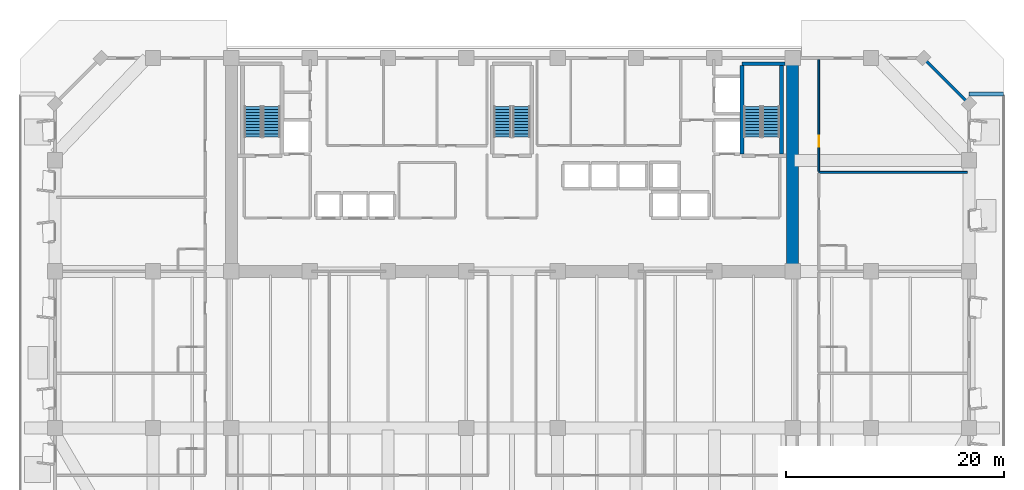
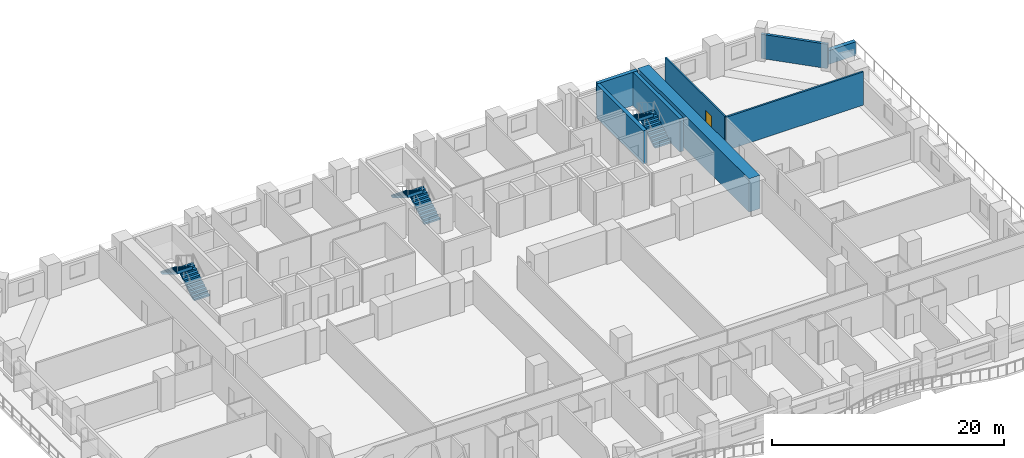
# One storey, part 13 of 17: 8 walls, 6 stair flights, 1 door, 1 opening, 3 elements without a shape of their own.
"""IFC4 building model written with IfcOpenShell, lengths in metres."""

from ifc_helpers import new_model, si_unit, direction, frame, frame_2d, origin, place, context, subcontext, project, spatial, polyline, rectangle, outline, extrude, material, layer, layer_set, type_object, element, fill, aggregate, save


model = new_model("IFC4")

# Units and contexts
model_context = context("Model", 3, precision=1e-05, world=origin(), true_north=direction((0.0, 1.0)))
body_context = subcontext(model_context, "Body", "Model", "MODEL_VIEW")
ifc_project = project(units=[si_unit("LENGTHUNIT", "METRE"), si_unit("AREAUNIT", "SQUARE_METRE"), si_unit("VOLUMEUNIT", "CUBIC_METRE"), si_unit("PLANEANGLEUNIT", "RADIAN"), si_unit("MASSUNIT", "GRAM", prefix="KILO")], contexts=[model_context])

# Site, building, storey
site_placement = place(None, origin())
site = spatial("IfcSite", under=ifc_project, at=site_placement, CompositionType="ELEMENT")
building_placement = place(site_placement, origin())
building = spatial("IfcBuilding", under=site, at=building_placement, Name="Kaelvorn Grand Hotel", CompositionType="ELEMENT")
storey_placement = place(building_placement, frame((0.0, 0.0, 31.39990234375)))
storey = spatial("IfcBuildingStorey", under=building, at=storey_placement, Name="L05", CompositionType="ELEMENT", Elevation=31.39990234375)

# Walls
ifc_material_1 = material(Name="Concrete C80/95", Category="concrete")
ifc_layer_1 = layer(ifc_material_1, 1.10009765625)
ifc_layer_set_1 = layer_set([ifc_layer_1], Name="Concrete C80/95")
wall_type_1 = type_object("IfcWallType", Name="WL-CORE-1100-C80", PredefinedType="SHEAR", material=ifc_layer_set_1)
wall_1_placement = place(storey_placement, frame((67.800048828125, 29.39990234375, 0.0), z_axis=(0.0, 0.0, 1.0), x_axis=(0.0, 1.0, 0.0)))
element("IfcWall", 1, at=wall_1_placement, inside=storey, type_object=wall_type_1, Name="L05 Rear-Core East Shear Wall", PredefinedType="SHEAR", context=body_context, shape_type="SweptSolid", body=[
    extrude(rectangle(XDim=19.2001953125, YDim=1.10009765625, at=frame_2d((9.60009765625, 0.0))), origin(), (0.0, 0.0, 1.0), 3.510009765625),
])
ifc_material_2 = material(Name="Concrete C40/50", Category="concrete")
ifc_layer_2 = layer(ifc_material_2, 0.260009765625)
ifc_layer_set_2 = layer_set([ifc_layer_2], Name="Concrete C40/50")
wall_type_2 = type_object("IfcWallType", Name="WL-EXT-260-C40", PredefinedType="SOLIDWALL", material=ifc_layer_set_2)
wall_2_placement = place(storey_placement, frame((84.0, 44.800048828125, 0.0), z_axis=(0.0, 0.0, 1.0), x_axis=(-0.707106781187, 0.707106781187, 0.0)))
element("IfcWall", 2, at=wall_2_placement, inside=storey, type_object=wall_type_2, Name="L05 Exterior Architectural Concrete Wall 04", PredefinedType="SOLIDWALL", context=body_context, shape_type="SweptSolid", body=[
    extrude(rectangle(XDim=5.939697265625, YDim=0.260009765625, at=frame_2d((2.9697265625, 0.0))), origin(), (0.0, 0.0, 1.0), 2.56005859375),
])

# Wall, opening, door
ifc_material_3 = material(Name="Acoustic Gypsum & Stud Partition")
ifc_layer_3 = layer(ifc_material_3, 0.14990234375)
ifc_layer_set_3 = layer_set([ifc_layer_3], Name="Acoustic Gypsum & Stud Partition")
wall_type_3 = type_object("IfcWallType", Name="WL-PART-150-EI60", PredefinedType="PARTITIONING", material=ifc_layer_set_3)
wall_3_placement = place(storey_placement, frame((70.199951171875, 38.594970703125, 0.0), z_axis=(0.0, 0.0, 1.0), x_axis=(0.0, 1.0, 0.0)))
wall_3 = element("IfcWall", 3, at=wall_3_placement, inside=storey, type_object=wall_type_3, Name="L05 North-East Suite Living Room W Partition", PredefinedType="PARTITIONING", context=body_context, shape_type="SweptSolid", body=[
    extrude(rectangle(XDim=10.255126953125, YDim=0.14990234375, at=frame_2d((5.12744140625, 0.0))), origin(), (0.0, 0.0, 1.0), 3.510009765625),
])
opening_placement = place(wall_3_placement, frame((2.2548828125, 0.0, 0.0)))
opening = element("IfcOpeningElement", 4, at=opening_placement, cuts=wall_3, Name="Opening DI3", PredefinedType="OPENING", context=body_context, shape_type="SweptSolid", body=[
    extrude(rectangle(XDim=1.0, YDim=2.14990234375, at=frame_2d((0.5, 1.074951171875))), frame((0.0, 0.0849609375, 0.0), z_axis=(0.0, -1.0, 0.0), x_axis=(1.0, 0.0, 0.0)), (0.0, 0.0, 1.0), 0.169921875),
])
ifc_material_4 = material(Name="Timber Veneer Fire Leaf", Category="wood")
door_type = type_object("IfcDoorType", Name="DR-INT-GUEST-1000x2150", OperationType="NOTDEFINED", PredefinedType="DOOR", material=ifc_material_4)
door_placement = place(opening_placement, origin())
door = element("IfcDoor", 5, at=door_placement, inside=storey, type_object=door_type, Name="L05 North-East Suite Living Room Door", OperationType="SINGLE_SWING_LEFT", OverallHeight=2.14990234375, OverallWidth=1.0, PredefinedType="DOOR", context=body_context, shape_type="SweptSolid", body=[
    extrude(rectangle(XDim=1.0, YDim=2.14990234375, at=frame_2d((0.5, 1.074951171875))), frame((0.0, 0.02490234375, 0.0), z_axis=(0.0, -1.0, 0.0), x_axis=(1.0, 0.0, 0.0)), (0.0, 0.0, 1.0), 0.050048828125),
])
fill(opening, door)

# Walls
ifc_layer_4 = layer(ifc_material_3, 0.179931640625)
ifc_layer_set_4 = layer_set([ifc_layer_4], Name="Acoustic Gypsum & Stud Partition")
wall_type_4 = type_object("IfcWallType", Name="WL-PART-180-EI60", PredefinedType="PARTITIONING", material=ifc_layer_set_4)
wall_4_placement = place(storey_placement, frame((70.199951171875, 38.5, 0.0), z_axis=(0.0, 0.0, 1.0), x_axis=(1.0, 0.0, 0.0)))
element("IfcWall", 6, at=wall_4_placement, inside=storey, type_object=wall_type_4, Name="L05 North-East Wing Suite L05-19 N Partition", PredefinedType="PARTITIONING", context=body_context, shape_type="SweptSolid", body=[
    extrude(rectangle(XDim=13.650146484375, YDim=0.179931640625, at=frame_2d((6.8251953125, 0.0))), origin(), (0.0, 0.0, 1.0), 3.510009765625),
])
ifc_material_5 = material(Name="Concrete C60/75", Category="concrete")
ifc_layer_5 = layer(ifc_material_5, 0.35009765625)
ifc_layer_set_5 = layer_set([ifc_layer_5], Name="Concrete C60/75")
wall_type_5 = type_object("IfcWallType", Name="WL-SHAFT-350-C60", PredefinedType="SHEAR", material=ifc_layer_set_5)
wall_5_placement = place(storey_placement, frame((63.14501953125, 48.47509765625, 0.0), z_axis=(0.0, 0.0, 1.0), x_axis=(1.0, 0.0, 0.0)))
element("IfcWall", 7, at=wall_5_placement, inside=storey, type_object=wall_type_5, Name="L05 ST3 Stair Shaft North Wall", PredefinedType="SHEAR", context=body_context, shape_type="SweptSolid", body=[
    extrude(rectangle(XDim=3.949951171875, YDim=0.35009765625, at=frame_2d((1.97509765625, 0.0))), origin(), (0.0, 0.0, 1.0), 3.510009765625),
])
for number, where, z_axis, x_axis, name in (
    (8, (63.14501953125, 40.205078125, 0.0), (0.0, 0.0, 1.0), (0.0, 1.0, 0.0), "L05 ST3 Stair Shaft West Wall"),
    (9, (66.77490234375, 40.205078125, 0.0), (0.0, 0.0, 1.0), (0.0, 1.0, 0.0), "L05 ST3 Stair Shaft East Wall"),
):
    element("IfcWall", number, at=place(storey_placement, frame(where, z_axis=z_axis, x_axis=x_axis)), inside=storey, type_object=wall_type_5, Name=name, PredefinedType="SHEAR", context=body_context, shape_type="SweptSolid", body=[
        extrude(rectangle(XDim=8.08984375, YDim=0.35009765625, at=frame_2d((4.044921875, 0.0))), origin(), (0.0, 0.0, 1.0), 3.510009765625),
    ])
ifc_layer_6 = layer(ifc_material_2, 0.39990234375)
ifc_layer_set_6 = layer_set([ifc_layer_6], Name="Concrete C40/50")
wall_type_6 = type_object("IfcWallType", Name="WL-UPS-400-C40", PredefinedType="PARAPET", material=ifc_layer_set_6)
wall_6_placement = place(storey_placement, frame((84.0, 45.699951171875, -0.239990234375), z_axis=(0.0, 0.0, 1.0), x_axis=(1.0, 0.0, 0.0)))
element("IfcWall", 10, at=wall_6_placement, inside=storey, type_object=wall_type_6, Name="L05 Podium Corner Roof Upstand Wall NE", PredefinedType="PARAPET", context=body_context, shape_type="SweptSolid", body=[
    extrude(rectangle(XDim=3.199951171875, YDim=0.39990234375, at=frame_2d((1.60009765625, 0.0))), origin(), (0.0, 0.0, 1.0), 1.440185546875),
])

# Stair, stair flights
stair_type = type_object("IfcStairType", Name="STR-DOG-1560-R06", PredefinedType="HALF_TURN_STAIR", material=ifc_material_2)
stair_1_placement = place(storey_placement, origin())
stair_1 = element("IfcStair", 11, at=stair_1_placement, inside=storey, type_object=stair_type, Name="L05 West Core Exit Stair ST1", PredefinedType="HALF_TURN_STAIR")
stair_flight_type = type_object("IfcStairFlightType", Name="FLG-DOG-1560-R06", PredefinedType="STRAIGHT", material=ifc_material_2)
stair_flight_1_placement = place(storey_placement, frame((19.89990234375, 41.760009765625, 0.0), z_axis=(0.0, 0.0, 1.0), x_axis=(0.0, 1.0, 0.0)))
stair_flight_1 = element("IfcStairFlight", 12, at=stair_flight_1_placement, type_object=stair_flight_type, Name="ST1 flight 1", NumberOfRisers=11, NumberOfTreads=10, PredefinedType="STRAIGHT", RiserHeight=0.170454545, TreadLength=0.28, context=body_context, shape_type="SweptSolid", body=[
    extrude(outline(polyline([(-0.0048828125, 0.0), (-0.0048828125, 0.0400390625), (0.0, 0.17041015625), (0.280029296875, 0.17041015625), (0.280029296875, 0.3408203125), (0.56005859375, 0.3408203125), (0.56005859375, 0.511474609375), (0.840087890625, 0.511474609375), (0.840087890625, 0.681884765625), (1.1201171875, 0.681884765625), (1.1201171875, 0.852294921875), (1.39990234375, 0.852294921875), (1.39990234375, 1.022705078125), (1.679931640625, 1.022705078125), (1.679931640625, 1.193115234375), (1.9599609375, 1.193115234375), (1.9599609375, 1.363525390625), (2.239990234375, 1.363525390625), (2.239990234375, 1.5341796875), (2.52001953125, 1.5341796875), (2.52001953125, 1.70458984375), (2.800048828125, 1.70458984375), (2.800048828125, 1.875), (2.804931640625, 1.875), (2.804931640625, 1.529052734375), (0.288330078125, 0.0), (-0.0048828125, 0.0)])), frame((0.0, 0.780029296875, 0.0), z_axis=(0.0, -1.0, 0.0), x_axis=(1.0, 0.0, 0.0)), (0.0, 0.0, 1.0), 1.56005859375),
])
stair_flight_2_placement = place(storey_placement, frame((18.179931640625, 44.56005859375, 1.875), z_axis=(0.0, 0.0, 1.0), x_axis=(0.0, -1.0, 0.0)))
stair_flight_2 = element("IfcStairFlight", 13, at=stair_flight_2_placement, type_object=stair_flight_type, Name="ST1 flight 2", NumberOfRisers=11, NumberOfTreads=10, PredefinedType="STRAIGHT", RiserHeight=0.170454545, TreadLength=0.28, context=body_context, shape_type="SweptSolid", body=[
    extrude(outline(polyline([(-0.0048828125, 0.0), (-0.0048828125, 0.0400390625), (0.0, 0.17041015625), (0.280029296875, 0.17041015625), (0.280029296875, 0.3408203125), (0.56005859375, 0.3408203125), (0.56005859375, 0.511474609375), (0.840087890625, 0.511474609375), (0.840087890625, 0.681884765625), (1.1201171875, 0.681884765625), (1.1201171875, 0.852294921875), (1.39990234375, 0.852294921875), (1.39990234375, 1.022705078125), (1.679931640625, 1.022705078125), (1.679931640625, 1.193115234375), (1.9599609375, 1.193115234375), (1.9599609375, 1.363525390625), (2.239990234375, 1.363525390625), (2.239990234375, 1.5341796875), (2.52001953125, 1.5341796875), (2.52001953125, 1.70458984375), (2.800048828125, 1.70458984375), (2.800048828125, 1.875), (2.804931640625, 1.875), (2.804931640625, 1.529052734375), (0.288330078125, 0.0), (-0.0048828125, 0.0)])), frame((0.0, 0.780029296875, 0.0), z_axis=(0.0, -1.0, 0.0), x_axis=(1.0, 0.0, 0.0)), (0.0, 0.0, 1.0), 1.56005859375),
])
aggregate(stair_1, [stair_flight_1, stair_flight_2])

stair_2_placement = place(storey_placement, origin())
stair_2 = element("IfcStair", 14, at=stair_2_placement, inside=storey, type_object=stair_type, Name="L05 Central Core Exit Stair ST2", PredefinedType="HALF_TURN_STAIR")
stair_flight_3_placement = place(storey_placement, frame((42.860107421875, 41.760009765625, 0.0), z_axis=(0.0, 0.0, 1.0), x_axis=(0.0, 1.0, 0.0)))
stair_flight_3 = element("IfcStairFlight", 15, at=stair_flight_3_placement, type_object=stair_flight_type, Name="ST2 flight 1", NumberOfRisers=11, NumberOfTreads=10, PredefinedType="STRAIGHT", RiserHeight=0.170454545, TreadLength=0.28, context=body_context, shape_type="SweptSolid", body=[
    extrude(outline(polyline([(-0.0048828125, 0.0), (-0.0048828125, 0.0400390625), (0.0, 0.17041015625), (0.280029296875, 0.17041015625), (0.280029296875, 0.3408203125), (0.56005859375, 0.3408203125), (0.56005859375, 0.511474609375), (0.840087890625, 0.511474609375), (0.840087890625, 0.681884765625), (1.1201171875, 0.681884765625), (1.1201171875, 0.852294921875), (1.39990234375, 0.852294921875), (1.39990234375, 1.022705078125), (1.679931640625, 1.022705078125), (1.679931640625, 1.193115234375), (1.9599609375, 1.193115234375), (1.9599609375, 1.363525390625), (2.239990234375, 1.363525390625), (2.239990234375, 1.5341796875), (2.52001953125, 1.5341796875), (2.52001953125, 1.70458984375), (2.800048828125, 1.70458984375), (2.800048828125, 1.875), (2.804931640625, 1.875), (2.804931640625, 1.529052734375), (0.288330078125, 0.0), (-0.0048828125, 0.0)])), frame((0.0, 0.780029296875, 0.0), z_axis=(0.0, -1.0, 0.0), x_axis=(1.0, 0.0, 0.0)), (0.0, 0.0, 1.0), 1.56005859375),
])
stair_flight_4_placement = place(storey_placement, frame((41.139892578125, 44.56005859375, 1.875), z_axis=(0.0, 0.0, 1.0), x_axis=(0.0, -1.0, 0.0)))
stair_flight_4 = element("IfcStairFlight", 16, at=stair_flight_4_placement, type_object=stair_flight_type, Name="ST2 flight 2", NumberOfRisers=11, NumberOfTreads=10, PredefinedType="STRAIGHT", RiserHeight=0.170454545, TreadLength=0.28, context=body_context, shape_type="SweptSolid", body=[
    extrude(outline(polyline([(-0.0048828125, 0.0), (-0.0048828125, 0.0400390625), (0.0, 0.17041015625), (0.280029296875, 0.17041015625), (0.280029296875, 0.3408203125), (0.56005859375, 0.3408203125), (0.56005859375, 0.511474609375), (0.840087890625, 0.511474609375), (0.840087890625, 0.681884765625), (1.1201171875, 0.681884765625), (1.1201171875, 0.852294921875), (1.39990234375, 0.852294921875), (1.39990234375, 1.022705078125), (1.679931640625, 1.022705078125), (1.679931640625, 1.193115234375), (1.9599609375, 1.193115234375), (1.9599609375, 1.363525390625), (2.239990234375, 1.363525390625), (2.239990234375, 1.5341796875), (2.52001953125, 1.5341796875), (2.52001953125, 1.70458984375), (2.800048828125, 1.70458984375), (2.800048828125, 1.875), (2.804931640625, 1.875), (2.804931640625, 1.529052734375), (0.288330078125, 0.0), (-0.0048828125, 0.0)])), frame((0.0, 0.780029296875, 0.0), z_axis=(0.0, -1.0, 0.0), x_axis=(1.0, 0.0, 0.0)), (0.0, 0.0, 1.0), 1.56005859375),
])
aggregate(stair_2, [stair_flight_3, stair_flight_4])

stair_3_placement = place(storey_placement, origin())
stair_3 = element("IfcStair", 17, at=stair_3_placement, inside=storey, type_object=stair_type, Name="L05 East Core Exit Stair ST3", PredefinedType="HALF_TURN_STAIR")
stair_flight_5_placement = place(storey_placement, frame((65.820068359375, 41.760009765625, 0.0), z_axis=(0.0, 0.0, 1.0), x_axis=(0.0, 1.0, 0.0)))
stair_flight_5 = element("IfcStairFlight", 18, at=stair_flight_5_placement, type_object=stair_flight_type, Name="ST3 flight 1", NumberOfRisers=11, NumberOfTreads=10, PredefinedType="STRAIGHT", RiserHeight=0.170454545, TreadLength=0.28, context=body_context, shape_type="SweptSolid", body=[
    extrude(outline(polyline([(-0.0048828125, 0.0), (-0.0048828125, 0.0400390625), (0.0, 0.17041015625), (0.280029296875, 0.17041015625), (0.280029296875, 0.3408203125), (0.56005859375, 0.3408203125), (0.56005859375, 0.511474609375), (0.840087890625, 0.511474609375), (0.840087890625, 0.681884765625), (1.1201171875, 0.681884765625), (1.1201171875, 0.852294921875), (1.39990234375, 0.852294921875), (1.39990234375, 1.022705078125), (1.679931640625, 1.022705078125), (1.679931640625, 1.193115234375), (1.9599609375, 1.193115234375), (1.9599609375, 1.363525390625), (2.239990234375, 1.363525390625), (2.239990234375, 1.5341796875), (2.52001953125, 1.5341796875), (2.52001953125, 1.70458984375), (2.800048828125, 1.70458984375), (2.800048828125, 1.875), (2.804931640625, 1.875), (2.804931640625, 1.529052734375), (0.288330078125, 0.0), (-0.0048828125, 0.0)])), frame((0.0, 0.780029296875, 0.0), z_axis=(0.0, -1.0, 0.0), x_axis=(1.0, 0.0, 0.0)), (0.0, 0.0, 1.0), 1.56005859375),
])
stair_flight_6_placement = place(storey_placement, frame((64.10009765625, 44.56005859375, 1.875), z_axis=(0.0, 0.0, 1.0), x_axis=(0.0, -1.0, 0.0)))
stair_flight_6 = element("IfcStairFlight", 19, at=stair_flight_6_placement, type_object=stair_flight_type, Name="ST3 flight 2", NumberOfRisers=11, NumberOfTreads=10, PredefinedType="STRAIGHT", RiserHeight=0.170454545, TreadLength=0.28, context=body_context, shape_type="SweptSolid", body=[
    extrude(outline(polyline([(-0.0048828125, 0.0), (-0.0048828125, 0.0400390625), (0.0, 0.17041015625), (0.280029296875, 0.17041015625), (0.280029296875, 0.3408203125), (0.56005859375, 0.3408203125), (0.56005859375, 0.511474609375), (0.840087890625, 0.511474609375), (0.840087890625, 0.681884765625), (1.1201171875, 0.681884765625), (1.1201171875, 0.852294921875), (1.39990234375, 0.852294921875), (1.39990234375, 1.022705078125), (1.679931640625, 1.022705078125), (1.679931640625, 1.193115234375), (1.9599609375, 1.193115234375), (1.9599609375, 1.363525390625), (2.239990234375, 1.363525390625), (2.239990234375, 1.5341796875), (2.52001953125, 1.5341796875), (2.52001953125, 1.70458984375), (2.800048828125, 1.70458984375), (2.800048828125, 1.875), (2.804931640625, 1.875), (2.804931640625, 1.529052734375), (0.288330078125, 0.0), (-0.0048828125, 0.0)])), frame((0.0, 0.780029296875, 0.0), z_axis=(0.0, -1.0, 0.0), x_axis=(1.0, 0.0, 0.0)), (0.0, 0.0, 1.0), 1.56005859375),
])
aggregate(stair_3, [stair_flight_5, stair_flight_6])

save(model, "model.ifc")
